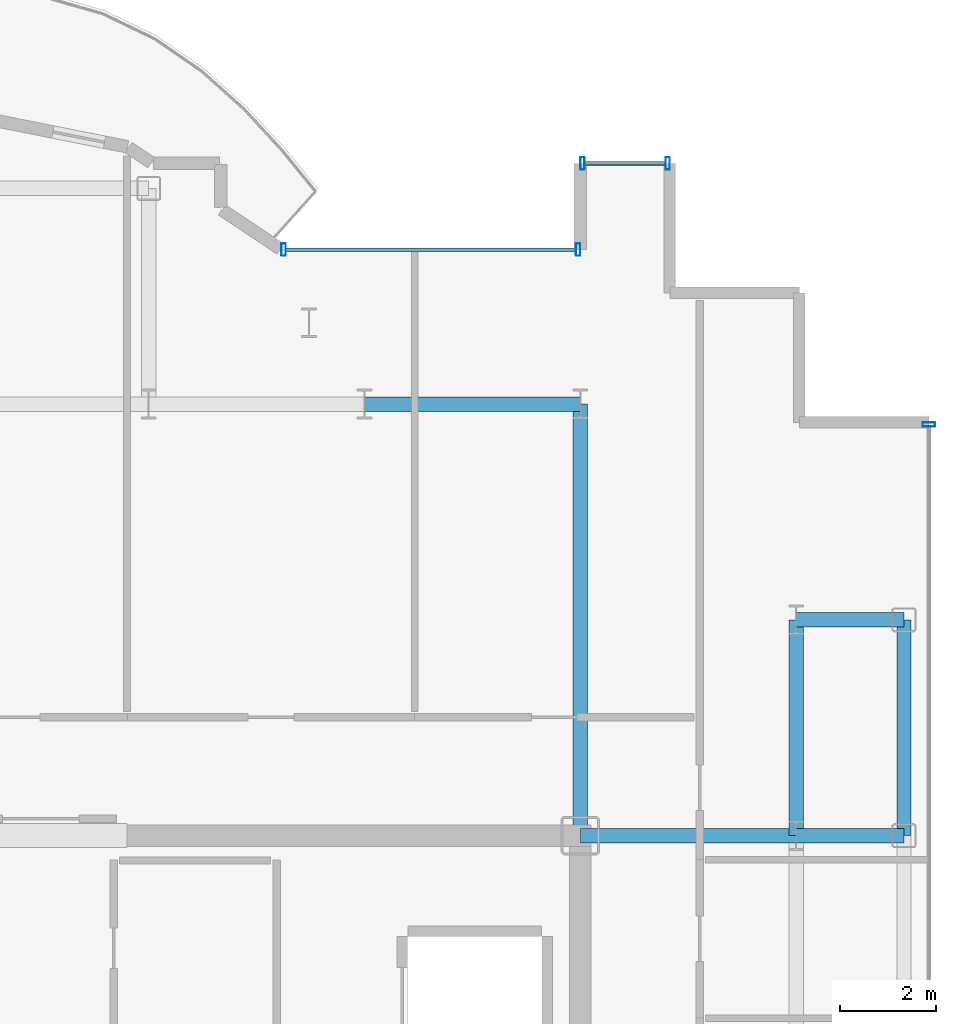
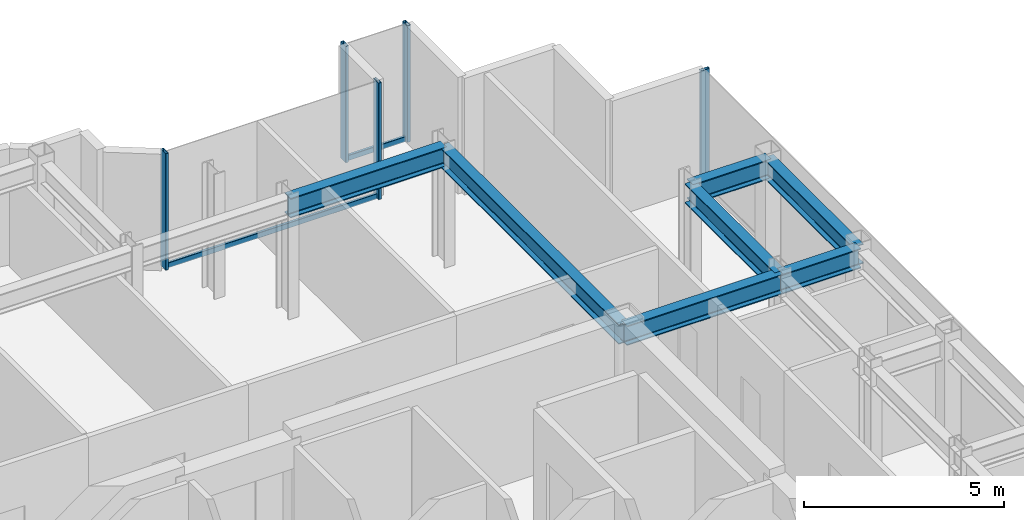
# One storey, part 11 of 18: 7 beams, 7 members, 3 elements without a shape of their own.
"""IFC4 building model written with IfcOpenShell, lengths in metres."""

from ifc_helpers import new_model, si_unit, direction, frame, origin, origin_2d, place, context, subcontext, project, spatial, hollow_rectangle, i_section, extrude, source, transform, mapped, material, layer, layer_set, material_profile, profile_set, type_object, element, aggregate, save


model = new_model("IFC4")

# Units and contexts
model_context = context("Model", 3, precision=1e-05, world=origin(), true_north=direction((0.0, 1.0)))
body_context = subcontext(model_context, "Body", "Model", "MODEL_VIEW")
ifc_project = project(units=[si_unit("LENGTHUNIT", "METRE"), si_unit("AREAUNIT", "SQUARE_METRE"), si_unit("VOLUMEUNIT", "CUBIC_METRE"), si_unit("PLANEANGLEUNIT", "RADIAN"), si_unit("MASSUNIT", "GRAM", prefix="KILO")], contexts=[model_context])

# Site, building, storey
site_placement = place(None, origin())
site = spatial("IfcSite", under=ifc_project, at=site_placement, CompositionType="ELEMENT")
building_placement = place(site_placement, origin())
building = spatial("IfcBuilding", under=site, at=building_placement, Name="Nefas-Gora Pilgrimage Tower", CompositionType="ELEMENT")
storey_placement = place(building_placement, frame((0.0, 0.0, 295.0)))
storey = spatial("IfcBuildingStorey", under=building, at=storey_placement, Name="L74", CompositionType="ELEMENT", Elevation=295.0)

# Beams
ifc_material_1 = material(Name="Steel S355", Category="steel")
ifc_material_profile_1 = material_profile(ifc_material_1, i_section(OverallWidth=0.300048828125, OverallDepth=0.60009765625, WebThickness=0.015380859375, FlangeThickness=0.030029296875, FilletRadius=0.027099609375, at=origin_2d()), Name="HEB 600")
ifc_profile_set_1 = profile_set([ifc_material_profile_1], Name="Steel S355")
beam_type_1 = type_object("IfcBeamType", Name="BM-SPN-HEB450", PredefinedType="SPANDREL", material=ifc_profile_set_1)
shared_shape_1 = source(origin(), body_context, "Body", "SweptSolid", [
    extrude(i_section(OverallWidth=0.300048828125, OverallDepth=0.60009765625, WebThickness=0.015380859375, FlangeThickness=0.030029296875, FilletRadius=0.027099609375, at=origin_2d()), origin(), (0.0, 0.0, 1.0), 4.5),
])
beam_1_placement = place(storey_placement, frame((18.0, 9.0, 3.25), z_axis=(0.0, 1.0, 0.0), x_axis=(-1.0, 0.0, 0.0)))
element("IfcBeam", 1, at=beam_1_placement, inside=storey, type_object=beam_type_1, Name="L74 SP-03 beam", PredefinedType="SPANDREL", context=body_context, shape_type="MappedRepresentation", body=[
    mapped(shared_shape_1, transform((0.0, 0.0, 0.0), x_axis=(1.0, 0.0, 0.0), y_axis=(0.0, 1.0, 0.0), z_axis=(0.0, 0.0, 1.0), scale=1.0)),
])
ifc_material_profile_2 = material_profile(ifc_material_1, i_section(OverallWidth=0.300048828125, OverallDepth=0.60009765625, WebThickness=0.015380859375, FlangeThickness=0.030029296875, FilletRadius=0.027099609375, at=origin_2d()), Name="HEB 600")
ifc_profile_set_2 = profile_set([ifc_material_profile_2], Name="Steel S355")
beam_type_2 = type_object("IfcBeamType", Name="BM-GIR-HEB600", PredefinedType="BEAM", material=ifc_profile_set_2)
shared_shape_2 = source(origin(), body_context, "Body", "SweptSolid", [
    extrude(i_section(OverallWidth=0.300048828125, OverallDepth=0.60009765625, WebThickness=0.015380859375, FlangeThickness=0.030029296875, FilletRadius=0.027099609375, at=origin_2d()), origin(), (0.0, 0.0, 1.0), 9.0),
])
beam_2_placement = place(storey_placement, frame((11.25, 9.0, 3.25), z_axis=(0.0, 1.0, 0.0), x_axis=(-1.0, 0.0, 0.0)))
element("IfcBeam", 2, at=beam_2_placement, inside=storey, type_object=beam_type_2, Name="L74 G-04 beam", PredefinedType="BEAM", context=body_context, shape_type="MappedRepresentation", body=[
    mapped(shared_shape_2, transform((0.0, 0.0, 0.0), x_axis=(1.0, 0.0, 0.0), y_axis=(0.0, 1.0, 0.0), z_axis=(0.0, 0.0, 1.0), scale=1.0)),
])
shared_shape_3 = source(origin(), body_context, "Body", "SweptSolid", [
    extrude(i_section(OverallWidth=0.300048828125, OverallDepth=0.60009765625, WebThickness=0.015380859375, FlangeThickness=0.030029296875, FilletRadius=0.027099609375, at=origin_2d()), origin(), (0.0, 0.0, 1.0), 4.5),
])
for number, where, z_axis, x_axis, name in (
    (3, (6.75, 18.0, 3.25), (1.0, 0.0, 0.0), (0.0, 1.0, 0.0), "L74 G-04 beam"),
    (4, (11.25, 9.0, 3.25), (1.0, 0.0, 0.0), (0.0, 1.0, 0.0), "L74 G-04 beam"),
    (5, (15.75, 9.0, 3.25), (0.0, 1.0, 0.0), (-1.0, 0.0, 0.0), "L74 G-04 beam"),
):
    element("IfcBeam", number, at=place(storey_placement, frame(where, z_axis=z_axis, x_axis=x_axis)), inside=storey, type_object=beam_type_2, Name=name, PredefinedType="BEAM", context=body_context, shape_type="MappedRepresentation", body=[
        mapped(shared_shape_3, transform((0.0, 0.0, 0.0), x_axis=(1.0, 0.0, 0.0), y_axis=(0.0, 1.0, 0.0), z_axis=(0.0, 0.0, 1.0), scale=1.0)),
    ])
shared_shape_4 = source(origin(), body_context, "Body", "SweptSolid", [
    extrude(i_section(OverallWidth=0.300048828125, OverallDepth=0.60009765625, WebThickness=0.015380859375, FlangeThickness=0.030029296875, FilletRadius=0.027099609375, at=origin_2d()), origin(), (0.0, 0.0, 1.0), 2.25),
])
for number, where, z_axis, x_axis, name in (
    (6, (15.75, 9.0, 3.25), (1.0, 0.0, 0.0), (0.0, 1.0, 0.0), "L74 G-04 beam"),
    (7, (15.75, 13.5, 3.25), (1.0, 0.0, 0.0), (0.0, 1.0, 0.0), "L74 G-04 beam"),
):
    element("IfcBeam", number, at=place(storey_placement, frame(where, z_axis=z_axis, x_axis=x_axis)), inside=storey, type_object=beam_type_2, Name=name, PredefinedType="BEAM", context=body_context, shape_type="MappedRepresentation", body=[
        mapped(shared_shape_4, transform((0.0, 0.0, 0.0), x_axis=(1.0, 0.0, 0.0), y_axis=(0.0, 1.0, 0.0), z_axis=(0.0, 0.0, 1.0), scale=1.0)),
    ])

# Curtain wall, members
ifc_material_2 = material(Name="Dark ceramic-fritted solar-control aluminium-glass curtain wall", Category="aluminium")
ifc_layer_1 = layer(ifc_material_2, 0.219970703125)
ifc_layer_set_1 = layer_set([ifc_layer_1], Name="Dark ceramic-fritted solar-control aluminium-glass curtain wall")
curtain_wall_type_1 = type_object("IfcCurtainWallType", Name="CW-SYS-5", PredefinedType="NOTDEFINED", material=ifc_layer_set_1)
curtain_wall_1_placement = place(storey_placement, origin())
curtain_wall_1 = element("IfcCurtainWall", 8, at=curtain_wall_1_placement, inside=storey, type_object=curtain_wall_type_1, Name="L74 Unitised Curtain Wall CW5", PredefinedType="NOTDEFINED")
ifc_material_3 = material(Name="Anodised architectural aluminium", Category="aluminium")
ifc_material_profile_3 = material_profile(ifc_material_3, hollow_rectangle(XDim=0.090087890625, YDim=0.260009765625, WallThickness=0.006103515625, InnerFilletRadius=0.006103515625, OuterFilletRadius=0.011962890625, at=origin_2d()), Name="ALU MULLION 90x260")
ifc_profile_set_3 = profile_set([ifc_material_profile_3], Name="Anodised architectural aluminium")
member_type_1 = type_object("IfcMemberType", Name="CWM-MUL-5", PredefinedType="MULLION", material=ifc_profile_set_3)
shared_shape_5 = source(origin(), body_context, "Body", "SweptSolid", [
    extrude(hollow_rectangle(XDim=0.090087890625, YDim=0.260009765625, WallThickness=0.006103515625, InnerFilletRadius=0.006103515625, OuterFilletRadius=0.011962890625, at=origin_2d()), origin(), (0.0, 0.0, 1.0), 3.550048828125),
])
member_1_placement = place(storey_placement, frame((11.205078125, 21.219970703125, 0.0), z_axis=(0.0, 0.0, 1.0), x_axis=(-1.0, 0.0, 0.0)))
member_1 = element("IfcMember", 9, at=member_1_placement, type_object=member_type_1, Name="CW5 Mullion 1", PredefinedType="MULLION", context=body_context, shape_type="MappedRepresentation", body=[
    mapped(shared_shape_5, transform((0.0, 0.0, 0.0), x_axis=(1.0, 0.0, 0.0), y_axis=(0.0, 1.0, 0.0), z_axis=(0.0, 0.0, 1.0), scale=1.0)),
])
member_2_placement = place(storey_placement, frame((5.06298828125, 21.219970703125, 0.0), z_axis=(0.0, 0.0, 1.0), x_axis=(-1.0, 0.0, 0.0)))
member_2 = element("IfcMember", 10, at=member_2_placement, type_object=member_type_1, Name="CW5 Mullion 2", PredefinedType="MULLION", context=body_context, shape_type="MappedRepresentation", body=[
    mapped(shared_shape_5, transform((0.0, 0.0, 0.0), x_axis=(1.0, 0.0, 0.0), y_axis=(0.0, 1.0, 0.0), z_axis=(0.0, 0.0, 1.0), scale=1.0)),
])
ifc_material_profile_4 = material_profile(ifc_material_3, hollow_rectangle(XDim=0.080078125, YDim=0.159912109375, WallThickness=0.00439453125, InnerFilletRadius=0.00439453125, OuterFilletRadius=0.009033203125, at=origin_2d()), Name="ALU TRANSOM 80x160")
ifc_profile_set_4 = profile_set([ifc_material_profile_4], Name="Anodised architectural aluminium")
member_type_2 = type_object("IfcMemberType", Name="CWM-TRN-5", PredefinedType="USERDEFINED", material=ifc_profile_set_4)
shared_shape_6 = source(origin(), body_context, "Body", "SweptSolid", [
    extrude(hollow_rectangle(XDim=0.080078125, YDim=0.159912109375, WallThickness=0.00439453125, InnerFilletRadius=0.00439453125, OuterFilletRadius=0.009033203125, at=origin_2d()), origin(), (0.0, 0.0, 1.0), 6.052001953125),
])
member_3_placement = place(storey_placement, frame((11.159912109375, 21.219970703125, 0.050048828125), z_axis=(-1.0, 0.0, 0.0), x_axis=(0.0, -1.0, 0.0)))
member_3 = element("IfcMember", 11, at=member_3_placement, type_object=member_type_2, Name="CW5 Spandrel Transom", ObjectType="TRANSOM", PredefinedType="USERDEFINED", context=body_context, shape_type="MappedRepresentation", body=[
    mapped(shared_shape_6, transform((0.0, 0.0, 0.0), x_axis=(1.0, 0.0, 0.0), y_axis=(0.0, 1.0, 0.0), z_axis=(0.0, 0.0, 1.0), scale=1.0)),
])
aggregate(curtain_wall_1, [member_1, member_2, member_3])

# Curtain wall, member
ifc_layer_2 = layer(ifc_material_2, 0.219970703125)
ifc_layer_set_2 = layer_set([ifc_layer_2], Name="Dark ceramic-fritted solar-control aluminium-glass curtain wall")
curtain_wall_type_2 = type_object("IfcCurtainWallType", Name="CW-SYS-4", PredefinedType="NOTDEFINED", material=ifc_layer_set_2)
curtain_wall_2_placement = place(storey_placement, origin())
curtain_wall_2 = element("IfcCurtainWall", 12, at=curtain_wall_2_placement, inside=storey, type_object=curtain_wall_type_2, Name="L74 Unitised Curtain Wall CW4", PredefinedType="NOTDEFINED")
ifc_material_profile_5 = material_profile(ifc_material_3, hollow_rectangle(XDim=0.080078125, YDim=0.159912109375, WallThickness=0.00439453125, InnerFilletRadius=0.00439453125, OuterFilletRadius=0.009033203125, at=origin_2d()), Name="ALU TRANSOM 80x160")
ifc_profile_set_5 = profile_set([ifc_material_profile_5], Name="Anodised architectural aluminium")
member_type_3 = type_object("IfcMemberType", Name="CWM-TRN-4", PredefinedType="USERDEFINED", material=ifc_profile_set_5)
shared_shape_7 = source(origin(), body_context, "Body", "SweptSolid", [
    extrude(hollow_rectangle(XDim=0.080078125, YDim=0.159912109375, WallThickness=0.00439453125, InnerFilletRadius=0.00439453125, OuterFilletRadius=0.009033203125, at=origin_2d()), origin(), (0.0, 0.0, 1.0), 1.68994140625),
])
member_4_placement = place(storey_placement, frame((13.030029296875, 23.02001953125, 0.050048828125), z_axis=(-1.0, 0.0, 0.0), x_axis=(0.0, -1.0, 0.0)))
member_4 = element("IfcMember", 13, at=member_4_placement, type_object=member_type_3, Name="CW4 Spandrel Transom", ObjectType="TRANSOM", PredefinedType="USERDEFINED", context=body_context, shape_type="MappedRepresentation", body=[
    mapped(shared_shape_7, transform((0.0, 0.0, 0.0), x_axis=(1.0, 0.0, 0.0), y_axis=(0.0, 1.0, 0.0), z_axis=(0.0, 0.0, 1.0), scale=1.0)),
])

curtain_wall_3_placement = place(storey_placement, origin())
curtain_wall_3 = element("IfcCurtainWall", 14, at=curtain_wall_3_placement, inside=storey, type_object=curtain_wall_type_2, Name="L74 Unitised Curtain Wall CW4", PredefinedType="NOTDEFINED")
ifc_material_profile_6 = material_profile(ifc_material_3, hollow_rectangle(XDim=0.090087890625, YDim=0.260009765625, WallThickness=0.006103515625, InnerFilletRadius=0.006103515625, OuterFilletRadius=0.011962890625, at=origin_2d()), Name="ALU MULLION 90x260")
ifc_profile_set_6 = profile_set([ifc_material_profile_6], Name="Anodised architectural aluminium")
member_type_4 = type_object("IfcMemberType", Name="CWM-MUL-4", PredefinedType="MULLION", material=ifc_profile_set_6)
shared_shape_8 = source(origin(), body_context, "Body", "SweptSolid", [
    extrude(hollow_rectangle(XDim=0.090087890625, YDim=0.260009765625, WallThickness=0.006103515625, InnerFilletRadius=0.006103515625, OuterFilletRadius=0.011962890625, at=origin_2d()), origin(), (0.0, 0.0, 1.0), 3.550048828125),
])
member_5_placement = place(storey_placement, frame((18.52001953125, 17.574951171875, 0.0), z_axis=(0.0, 0.0, 1.0), x_axis=(0.0, 1.0, 0.0)))
member_5 = element("IfcMember", 15, at=member_5_placement, type_object=member_type_4, Name="CW4 Mullion 3", PredefinedType="MULLION", context=body_context, shape_type="MappedRepresentation", body=[
    mapped(shared_shape_8, transform((0.0, 0.0, 0.0), x_axis=(1.0, 0.0, 0.0), y_axis=(0.0, 1.0, 0.0), z_axis=(0.0, 0.0, 1.0), scale=1.0)),
])
aggregate(curtain_wall_3, [member_5])

# Member
member_6_placement = place(storey_placement, frame((13.074951171875, 23.02001953125, 0.0), z_axis=(0.0, 0.0, 1.0), x_axis=(-1.0, 0.0, 0.0)))
member_6 = element("IfcMember", 16, at=member_6_placement, type_object=member_type_4, Name="CW4 Mullion 1", PredefinedType="MULLION", context=body_context, shape_type="MappedRepresentation", body=[
    mapped(shared_shape_8, transform((0.0, 0.0, 0.0), x_axis=(1.0, 0.0, 0.0), y_axis=(0.0, 1.0, 0.0), z_axis=(0.0, 0.0, 1.0), scale=1.0)),
])

member_7_placement = place(storey_placement, frame((11.294921875, 23.02001953125, 0.0), z_axis=(0.0, 0.0, 1.0), x_axis=(-1.0, 0.0, 0.0)))
member_7 = element("IfcMember", 17, at=member_7_placement, type_object=member_type_4, Name="CW4 Mullion 2", PredefinedType="MULLION", context=body_context, shape_type="MappedRepresentation", body=[
    mapped(shared_shape_8, transform((0.0, 0.0, 0.0), x_axis=(1.0, 0.0, 0.0), y_axis=(0.0, 1.0, 0.0), z_axis=(0.0, 0.0, 1.0), scale=1.0)),
])

aggregate(curtain_wall_2, [member_6, member_7, member_4])

save(model, "model.ifc")
